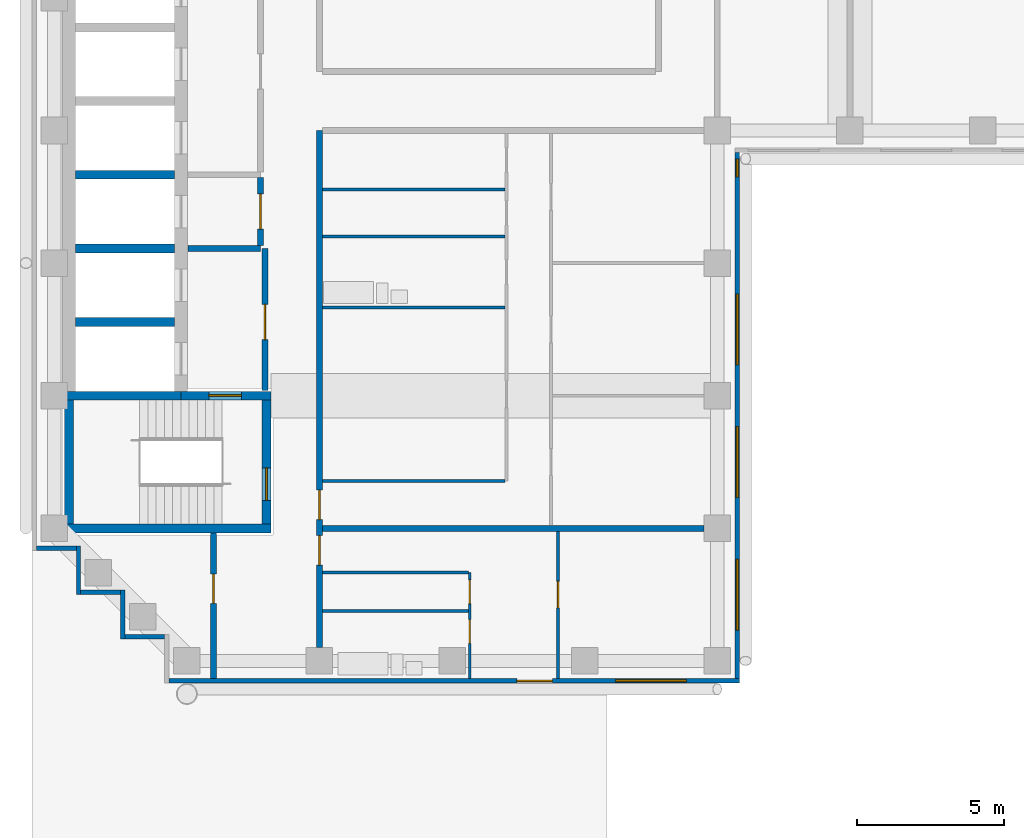
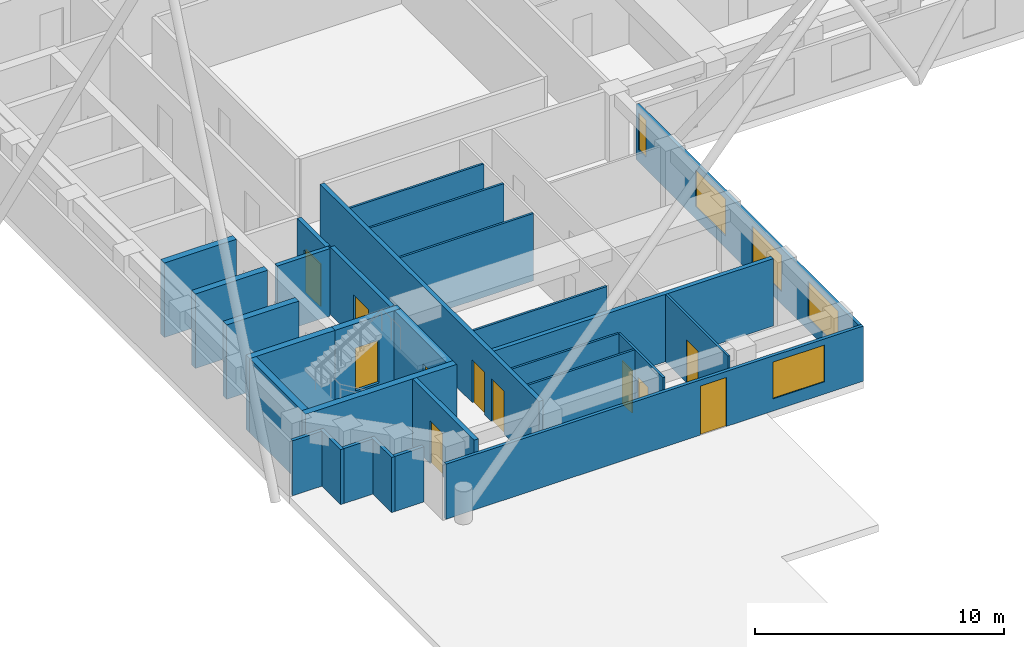
# One storey, part 2 of 9: 29 walls, 11 doors, 5 windows, 16 openings.
"""IFC4 building model written with IfcOpenShell, lengths in metres."""

from ifc_helpers import new_model, si_unit, direction, frame, frame_2d, origin, place, context, subcontext, project, spatial, rectangle, extrude, material, layer, layer_set, type_object, element, fill, save


model = new_model("IFC4")

# Units and contexts
model_context = context("Model", 3, precision=1e-05, world=origin(), true_north=direction((0.0, 1.0)))
body_context = subcontext(model_context, "Body", "Model", "MODEL_VIEW")
ifc_project = project(units=[si_unit("LENGTHUNIT", "METRE"), si_unit("AREAUNIT", "SQUARE_METRE"), si_unit("VOLUMEUNIT", "CUBIC_METRE"), si_unit("PLANEANGLEUNIT", "RADIAN"), si_unit("MASSUNIT", "GRAM", prefix="KILO")], contexts=[model_context])

# Site, building, storey
site_placement = place(None, origin())
site = spatial("IfcSite", under=ifc_project, at=site_placement, CompositionType="ELEMENT")
building_placement = place(site_placement, origin())
building = spatial("IfcBuilding", under=site, at=building_placement, Name="Firuza Court", CompositionType="ELEMENT")
storey_placement = place(building_placement, frame((0.0, 0.0, 211.39990234375)))
storey = spatial("IfcBuildingStorey", under=building, at=storey_placement, Name="L54", CompositionType="ELEMENT", Elevation=211.39990234375)

# Walls
ifc_material_1 = material(Name="Moisture-resistant gypsum board partition")
ifc_layer_1 = layer(ifc_material_1, 0.10009765625)
ifc_layer_set_1 = layer_set([ifc_layer_1], Name="Moisture-resistant gypsum board partition")
wall_type_1 = type_object("IfcWallType", Name="Bathroom partition 100", PredefinedType="PLUMBINGWALL", material=ifc_layer_set_1)
wall_1_placement = place(storey_placement, frame((9.10009765625, 19.699951171875, 0.0), z_axis=(0.0, 0.0, 1.0), x_axis=(1.0, 0.0, 0.0)))
element("IfcWall", 1, at=wall_1_placement, inside=storey, type_object=wall_type_1, Name="Bathroom partition 100 L54", PredefinedType="PLUMBINGWALL", context=body_context, shape_type="SweptSolid", body=[
    extrude(rectangle(XDim=4.949951171875, YDim=0.10009765625, at=frame_2d((2.47509765625, 0.0))), origin(), (0.0, 0.0, 1.0), 3.300048828125),
])
for number, where, z_axis, x_axis, name in (
    (2, (9.10009765625, 30.0, 0.0), (0.0, 0.0, 1.0), (1.0, 0.0, 0.0), "Bathroom partition 100 L54"),
    (3, (9.10009765625, 32.39990234375, 0.0), (0.0, 0.0, 1.0), (1.0, 0.0, 0.0), "Bathroom partition 100 L54"),
):
    element("IfcWall", number, at=place(storey_placement, frame(where, z_axis=z_axis, x_axis=x_axis)), inside=storey, type_object=wall_type_1, Name=name, PredefinedType="PLUMBINGWALL", context=body_context, shape_type="SweptSolid", body=[
        extrude(rectangle(XDim=6.199951171875, YDim=0.10009765625, at=frame_2d((3.10009765625, 0.0))), origin(), (0.0, 0.0, 1.0), 3.300048828125),
    ])
ifc_material_2 = material(Name="Concrete C50/60", Category="concrete")
ifc_layer_2 = layer(ifc_material_2, 0.300048828125)
ifc_layer_set_2 = layer_set([ifc_layer_2], Name="Concrete C50/60")
wall_type_2 = type_object("IfcWallType", Name="Core wall 300 C50/60", PredefinedType="SHEAR", material=ifc_layer_set_2)
wall_2_placement = place(storey_placement, frame((0.35009765625, 22.5, -0.349853515625), z_axis=(0.0, 0.0, 1.0), x_axis=(1.0, 0.0, 0.0)))
element("IfcWall", 4, at=wall_2_placement, inside=storey, type_object=wall_type_2, Name="Core wall stair L54", PredefinedType="SHEAR", context=body_context, shape_type="SweptSolid", body=[
    extrude(rectangle(XDim=7.0, YDim=0.300048828125, at=frame_2d((3.5, 0.0))), origin(), (0.0, 0.0, 1.0), 3.64990234375),
])
wall_3_placement = place(storey_placement, frame((0.35009765625, 27.0, -0.349853515625), z_axis=(0.0, 0.0, 1.0), x_axis=(1.0, 0.0, 0.0)))
element("IfcWall", 5, at=wall_3_placement, inside=storey, type_object=wall_type_2, Name="Core wall lift shaft L54", PredefinedType="SHEAR", context=body_context, shape_type="SweptSolid", body=[
    extrude(rectangle(XDim=3.949951171875, YDim=0.300048828125, at=frame_2d((1.97509765625, 0.0))), origin(), (0.0, 0.0, 1.0), 3.64990234375),
])
wall_4_placement = place(storey_placement, frame((0.5, 22.64990234375, -0.349853515625), z_axis=(0.0, 0.0, 1.0), x_axis=(0.0, 1.0, 0.0)))
element("IfcWall", 6, at=wall_4_placement, inside=storey, type_object=wall_type_2, Name="Core wall stair L54", PredefinedType="SHEAR", context=body_context, shape_type="SweptSolid", body=[
    extrude(rectangle(XDim=4.2001953125, YDim=0.300048828125, at=frame_2d((2.10009765625, 0.0))), origin(), (0.0, 0.0, 1.0), 3.64990234375),
])
for number, where, z_axis, x_axis, name in (
    (7, (0.72509765625, 29.5, -0.349853515625), (0.0, 0.0, 1.0), (1.0, 0.0, 0.0), "Core wall lift shaft L54"),
    (8, (0.72509765625, 32.0, -0.349853515625), (0.0, 0.0, 1.0), (1.0, 0.0, 0.0), "Core wall lift shaft L54"),
    (9, (0.72509765625, 34.5, -0.349853515625), (0.0, 0.0, 1.0), (1.0, 0.0, 0.0), "Core wall lift shaft L54"),
):
    element("IfcWall", number, at=place(storey_placement, frame(where, z_axis=z_axis, x_axis=x_axis)), inside=storey, type_object=wall_type_2, Name=name, PredefinedType="SHEAR", context=body_context, shape_type="SweptSolid", body=[
        extrude(rectangle(XDim=3.349853515625, YDim=0.300048828125, at=frame_2d((1.6748046875, 0.0))), origin(), (0.0, 0.0, 1.0), 3.64990234375),
    ])

# Wall, opening, door
wall_5_placement = place(storey_placement, frame((4.300048828125, 27.0, -0.349853515625), z_axis=(0.0, 0.0, 1.0), x_axis=(1.0, 0.0, 0.0)))
wall_5 = element("IfcWall", 10, at=wall_5_placement, inside=storey, type_object=wall_type_2, Name="Core wall stair L54", PredefinedType="SHEAR", context=body_context, shape_type="SweptSolid", body=[
    extrude(rectangle(XDim=3.050048828125, YDim=0.300048828125, at=frame_2d((1.52490234375, 0.0))), origin(), (0.0, 0.0, 1.0), 3.64990234375),
])
opening_1_placement = place(wall_5_placement, frame((0.949951171875, 0.0, 0.35009765625)))
opening_1 = element("IfcOpeningElement", 11, at=opening_1_placement, cuts=wall_5, Name="Opening D54010", PredefinedType="OPENING", context=body_context, shape_type="SweptSolid", body=[
    extrude(rectangle(XDim=1.10009765625, YDim=2.10009765625, at=frame_2d((0.550048828125, 1.050048828125))), frame((0.0, 0.162109375, 0.0), z_axis=(0.0, -1.0, 0.0), x_axis=(1.0, 0.0, 0.0)), (0.0, 0.0, 1.0), 0.323974609375),
])
ifc_material_3 = material(Name="Timber door leaf in hardwood frame", Category="wood")
door_type_1 = type_object("IfcDoorType", Name="Stair door 1100", OperationType="SINGLE_SWING_LEFT", PredefinedType="DOOR", material=ifc_material_3)
door_1_placement = place(opening_1_placement, frame((1.10009765625, 0.0, 0.0), z_axis=(0.0, 0.0, 1.0), x_axis=(-1.0, 0.0, 0.0)))
door_1 = element("IfcDoor", 12, at=door_1_placement, inside=storey, type_object=door_type_1, Name="Fire-fighting lobby door", OperationType="SINGLE_SWING_LEFT", OverallHeight=2.10009765625, OverallWidth=1.10009765625, PredefinedType="DOOR", context=body_context, shape_type="SweptSolid", body=[
    extrude(rectangle(XDim=1.10009765625, YDim=2.10009765625, at=frame_2d((0.550048828125, 1.050048828125))), frame((0.0, 0.02490234375, 0.0), z_axis=(0.0, -1.0, 0.0), x_axis=(1.0, 0.0, 0.0)), (0.0, 0.0, 1.0), 0.050048828125),
])
fill(opening_1, door_1)

wall_6_placement = place(storey_placement, frame((7.199951171875, 22.64990234375, -0.349853515625), z_axis=(0.0, 0.0, 1.0), x_axis=(0.0, 1.0, 0.0)))
wall_6 = element("IfcWall", 13, at=wall_6_placement, inside=storey, type_object=wall_type_2, Name="Core wall stair L54", PredefinedType="SHEAR", context=body_context, shape_type="SweptSolid", body=[
    extrude(rectangle(XDim=4.2001953125, YDim=0.300048828125, at=frame_2d((2.10009765625, 0.0))), origin(), (0.0, 0.0, 1.0), 3.64990234375),
])
opening_2_placement = place(wall_6_placement, frame((0.800048828125, 0.0, 0.35009765625)))
opening_2 = element("IfcOpeningElement", 14, at=opening_2_placement, cuts=wall_6, Name="Opening D54011", PredefinedType="OPENING", context=body_context, shape_type="SweptSolid", body=[
    extrude(rectangle(XDim=1.10009765625, YDim=2.10009765625, at=frame_2d((0.550048828125, 1.050048828125))), frame((0.0, 0.162109375, 0.0), z_axis=(0.0, -1.0, 0.0), x_axis=(1.0, 0.0, 0.0)), (0.0, 0.0, 1.0), 0.323974609375),
])
door_2_placement = place(opening_2_placement, origin())
door_2 = element("IfcDoor", 15, at=door_2_placement, inside=storey, type_object=door_type_1, Name="Stair door S2", OperationType="SINGLE_SWING_LEFT", OverallHeight=2.10009765625, OverallWidth=1.10009765625, PredefinedType="DOOR", context=body_context, shape_type="SweptSolid", body=[
    extrude(rectangle(XDim=1.10009765625, YDim=2.10009765625, at=frame_2d((0.550048828125, 1.050048828125))), frame((0.0, 0.02490234375, 0.0), z_axis=(0.0, -1.0, 0.0), x_axis=(1.0, 0.0, 0.0)), (0.0, 0.0, 1.0), 0.050048828125),
])
fill(opening_2, door_2)

ifc_material_4 = material(Name="Blockwork, plastered both sides", Category="masonry")
ifc_layer_3 = layer(ifc_material_4, 0.199951171875)
ifc_layer_set_3 = layer_set([ifc_layer_3], Name="Blockwork, plastered both sides")
wall_type_3 = type_object("IfcWallType", Name="Corridor wall 200", PredefinedType="PARTITIONING", material=ifc_layer_set_3)
wall_7_placement = place(storey_placement, frame((5.39990234375, 17.39990234375, 0.0), z_axis=(0.0, 0.0, 1.0), x_axis=(0.0, 1.0, 0.0)))
wall_7 = element("IfcWall", 16, at=wall_7_placement, inside=storey, type_object=wall_type_3, Name="Corridor wall 200 L54", PredefinedType="PARTITIONING", context=body_context, shape_type="SweptSolid", body=[
    extrude(rectangle(XDim=4.9501953125, YDim=0.199951171875, at=frame_2d((2.47509765625, 0.0))), origin(), (0.0, 0.0, 1.0), 3.300048828125),
])
opening_3_placement = place(wall_7_placement, frame((2.550048828125, 0.0, 0.0)))
opening_3 = element("IfcOpeningElement", 17, at=opening_3_placement, cuts=wall_7, Name="Opening D54013", PredefinedType="OPENING", context=body_context, shape_type="SweptSolid", body=[
    extrude(rectangle(XDim=1.0, YDim=2.10009765625, at=frame_2d((0.5, 1.050048828125))), frame((0.0, 0.11181640625, 0.0), z_axis=(0.0, -1.0, 0.0), x_axis=(1.0, 0.0, 0.0)), (0.0, 0.0, 1.0), 0.223876953125),
])
ifc_material_5 = material(Name="Timber door leaf in hardwood frame", Category="wood")
door_type_2 = type_object("IfcDoorType", Name="Store door 1000", OperationType="SINGLE_SWING_LEFT", PredefinedType="DOOR", material=ifc_material_5)
door_3_placement = place(opening_3_placement, origin())
door_3 = element("IfcDoor", 18, at=door_3_placement, inside=storey, type_object=door_type_2, Name="Cleaner's store door", OperationType="SINGLE_SWING_RIGHT", OverallHeight=2.10009765625, OverallWidth=1.0, PredefinedType="DOOR", context=body_context, shape_type="SweptSolid", body=[
    extrude(rectangle(XDim=1.0, YDim=2.10009765625, at=frame_2d((0.5, 1.050048828125))), frame((0.0, 0.02490234375, 0.0), z_axis=(0.0, -1.0, 0.0), x_axis=(1.0, 0.0, 0.0)), (0.0, 0.0, 1.0), 0.050048828125),
])
fill(opening_3, door_3)

# Wall, openings, doors
wall_8_placement = place(storey_placement, frame((9.0, 18.449951171875, 0.0), z_axis=(0.0, 0.0, 1.0), x_axis=(0.0, 1.0, 0.0)))
wall_8 = element("IfcWall", 19, at=wall_8_placement, inside=storey, type_object=wall_type_3, Name="Corridor wall 200 L54", PredefinedType="PARTITIONING", context=body_context, shape_type="SweptSolid", body=[
    extrude(rectangle(XDim=17.550048828125, YDim=0.199951171875, at=frame_2d((8.77490234375, 0.0))), origin(), (0.0, 0.0, 1.0), 3.300048828125),
])
opening_4_placement = place(wall_8_placement, frame((4.35009765625, 0.0, 0.0)))
opening_4 = element("IfcOpeningElement", 20, at=opening_4_placement, cuts=wall_8, Name="Opening D54017", PredefinedType="OPENING", context=body_context, shape_type="SweptSolid", body=[
    extrude(rectangle(XDim=1.0, YDim=2.10009765625, at=frame_2d((0.5, 1.050048828125))), frame((0.0, 0.11181640625, 0.0), z_axis=(0.0, -1.0, 0.0), x_axis=(1.0, 0.0, 0.0)), (0.0, 0.0, 1.0), 0.223876953125),
])
opening_5_placement = place(wall_8_placement, frame((2.800048828125, 0.0, 0.0)))
opening_5 = element("IfcOpeningElement", 21, at=opening_5_placement, cuts=wall_8, Name="Opening D54018", PredefinedType="OPENING", context=body_context, shape_type="SweptSolid", body=[
    extrude(rectangle(XDim=1.0, YDim=2.10009765625, at=frame_2d((0.5, 1.050048828125))), frame((0.0, 0.11181640625, 0.0), z_axis=(0.0, -1.0, 0.0), x_axis=(1.0, 0.0, 0.0)), (0.0, 0.0, 1.0), 0.223876953125),
])
ifc_material_6 = material(Name="Timber door leaf in hardwood frame", Category="wood")
door_type_3 = type_object("IfcDoorType", Name="Flat entrance door 1000", OperationType="SINGLE_SWING_LEFT", PredefinedType="DOOR", material=ifc_material_6)
door_4_placement = place(opening_4_placement, origin())
door_4 = element("IfcDoor", 22, at=door_4_placement, inside=storey, type_object=door_type_3, Name="Flat entrance door", OperationType="SINGLE_SWING_LEFT", OverallHeight=2.10009765625, OverallWidth=1.0, PredefinedType="DOOR", context=body_context, shape_type="SweptSolid", body=[
    extrude(rectangle(XDim=1.0, YDim=2.10009765625, at=frame_2d((0.5, 1.050048828125))), frame((0.0, 0.02490234375, 0.0), z_axis=(0.0, -1.0, 0.0), x_axis=(1.0, 0.0, 0.0)), (0.0, 0.0, 1.0), 0.050048828125),
])
fill(opening_4, door_4)
door_5_placement = place(opening_5_placement, origin())
door_5 = element("IfcDoor", 23, at=door_5_placement, inside=storey, type_object=door_type_3, Name="Flat entrance door", OperationType="SINGLE_SWING_LEFT", OverallHeight=2.10009765625, OverallWidth=1.0, PredefinedType="DOOR", context=body_context, shape_type="SweptSolid", body=[
    extrude(rectangle(XDim=1.0, YDim=2.10009765625, at=frame_2d((0.5, 1.050048828125))), frame((0.0, 0.02490234375, 0.0), z_axis=(0.0, -1.0, 0.0), x_axis=(1.0, 0.0, 0.0)), (0.0, 0.0, 1.0), 0.050048828125),
])
fill(opening_5, door_5)

ifc_material_7 = material(Name="Timber stud partition, plasterboard both sides", Category="wood")
ifc_layer_4 = layer(ifc_material_7, 0.10009765625)
ifc_layer_set_4 = layer_set([ifc_layer_4], Name="Timber stud partition, plasterboard both sides")
wall_type_4 = type_object("IfcWallType", Name="Partition wall 100", PredefinedType="PARTITIONING", material=ifc_layer_set_4)
wall_9_placement = place(storey_placement, frame((14.10009765625, 17.39990234375, 0.0), z_axis=(0.0, 0.0, 1.0), x_axis=(0.0, 1.0, 0.0)))
wall_9 = element("IfcWall", 24, at=wall_9_placement, inside=storey, type_object=wall_type_4, Name="Partition wall 100 L54", PredefinedType="PARTITIONING", context=body_context, shape_type="SweptSolid", body=[
    extrude(rectangle(XDim=3.60009765625, YDim=0.10009765625, at=frame_2d((1.800048828125, 0.0))), origin(), (0.0, 0.0, 1.0), 3.300048828125),
])
opening_6_placement = place(wall_9_placement, frame((1.199951171875, 0.0, 0.0)))
opening_6 = element("IfcOpeningElement", 25, at=opening_6_placement, cuts=wall_9, Name="Opening D54014", PredefinedType="OPENING", context=body_context, shape_type="SweptSolid", body=[
    extrude(rectangle(XDim=0.800048828125, YDim=2.10009765625, at=frame_2d((0.39990234375, 1.050048828125))), frame((0.0, 0.06201171875, 0.0), z_axis=(0.0, -1.0, 0.0), x_axis=(1.0, 0.0, 0.0)), (0.0, 0.0, 1.0), 0.1240234375),
])
opening_7_placement = place(wall_9_placement, frame((2.550048828125, 0.0, 0.0)))
opening_7 = element("IfcOpeningElement", 26, at=opening_7_placement, cuts=wall_9, Name="Opening D54015", PredefinedType="OPENING", context=body_context, shape_type="SweptSolid", body=[
    extrude(rectangle(XDim=0.800048828125, YDim=2.10009765625, at=frame_2d((0.39990234375, 1.050048828125))), frame((0.0, 0.06201171875, 0.0), z_axis=(0.0, -1.0, 0.0), x_axis=(1.0, 0.0, 0.0)), (0.0, 0.0, 1.0), 0.1240234375),
])
ifc_material_8 = material(Name="Timber door leaf in hardwood frame", Category="wood")
door_type_4 = type_object("IfcDoorType", Name="Bathroom door 800", OperationType="SINGLE_SWING_LEFT", PredefinedType="DOOR", material=ifc_material_8)
door_6_placement = place(opening_6_placement, origin())
door_6 = element("IfcDoor", 27, at=door_6_placement, inside=storey, type_object=door_type_4, Name="Bathroom door", OperationType="SINGLE_SWING_RIGHT", OverallHeight=2.10009765625, OverallWidth=0.800048828125, PredefinedType="DOOR", context=body_context, shape_type="SweptSolid", body=[
    extrude(rectangle(XDim=0.800048828125, YDim=2.10009765625, at=frame_2d((0.39990234375, 1.050048828125))), frame((0.0, 0.02490234375, 0.0), z_axis=(0.0, -1.0, 0.0), x_axis=(1.0, 0.0, 0.0)), (0.0, 0.0, 1.0), 0.050048828125),
])
fill(opening_6, door_6)
ifc_material_9 = material(Name="Timber door leaf in hardwood frame", Category="wood")
door_type_5 = type_object("IfcDoorType", Name="Room door 800", OperationType="SINGLE_SWING_LEFT", PredefinedType="DOOR", material=ifc_material_9)
door_7_placement = place(opening_7_placement, origin())
door_7 = element("IfcDoor", 28, at=door_7_placement, inside=storey, type_object=door_type_5, Name="Kitchen door", OperationType="SINGLE_SWING_LEFT", OverallHeight=2.10009765625, OverallWidth=0.800048828125, PredefinedType="DOOR", context=body_context, shape_type="SweptSolid", body=[
    extrude(rectangle(XDim=0.800048828125, YDim=2.10009765625, at=frame_2d((0.39990234375, 1.050048828125))), frame((0.0, 0.02490234375, 0.0), z_axis=(0.0, -1.0, 0.0), x_axis=(1.0, 0.0, 0.0)), (0.0, 0.0, 1.0), 0.050048828125),
])
fill(opening_7, door_7)

# Wall, opening, door
wall_10_placement = place(storey_placement, frame((17.10009765625, 17.39990234375, 0.0), z_axis=(0.0, 0.0, 1.0), x_axis=(0.0, 1.0, 0.0)))
wall_10 = element("IfcWall", 29, at=wall_10_placement, inside=storey, type_object=wall_type_4, Name="Partition wall 100 L54", PredefinedType="PARTITIONING", context=body_context, shape_type="SweptSolid", body=[
    extrude(rectangle(XDim=5.0, YDim=0.10009765625, at=frame_2d((2.5, 0.0))), origin(), (0.0, 0.0, 1.0), 3.300048828125),
])
opening_8_placement = place(wall_10_placement, frame((2.39990234375, 0.0, 0.0)))
opening_8 = element("IfcOpeningElement", 30, at=opening_8_placement, cuts=wall_10, Name="Opening D54016", PredefinedType="OPENING", context=body_context, shape_type="SweptSolid", body=[
    extrude(rectangle(XDim=0.89990234375, YDim=2.10009765625, at=frame_2d((0.449951171875, 1.050048828125))), frame((0.0, 0.06201171875, 0.0), z_axis=(0.0, -1.0, 0.0), x_axis=(1.0, 0.0, 0.0)), (0.0, 0.0, 1.0), 0.1240234375),
])
ifc_material_10 = material(Name="Timber door leaf in hardwood frame", Category="wood")
door_type_6 = type_object("IfcDoorType", Name="Room door 900", OperationType="SINGLE_SWING_LEFT", PredefinedType="DOOR", material=ifc_material_10)
door_8_placement = place(opening_8_placement, frame((0.89990234375, 0.0, 0.0), z_axis=(0.0, 0.0, 1.0), x_axis=(-1.0, 0.0, 0.0)))
door_8 = element("IfcDoor", 31, at=door_8_placement, inside=storey, type_object=door_type_6, Name="Studio room door", OperationType="SINGLE_SWING_LEFT", OverallHeight=2.10009765625, OverallWidth=0.89990234375, PredefinedType="DOOR", context=body_context, shape_type="SweptSolid", body=[
    extrude(rectangle(XDim=0.89990234375, YDim=2.10009765625, at=frame_2d((0.449951171875, 1.050048828125))), frame((0.0, 0.02490234375, 0.0), z_axis=(0.0, -1.0, 0.0), x_axis=(1.0, 0.0, 0.0)), (0.0, 0.0, 1.0), 0.050048828125),
])
fill(opening_8, door_8)

# Walls
wall_11_placement = place(storey_placement, frame((9.10009765625, 21.0, 0.0), z_axis=(0.0, 0.0, 1.0), x_axis=(1.0, 0.0, 0.0)))
element("IfcWall", 32, at=wall_11_placement, inside=storey, type_object=wall_type_4, Name="Partition wall 100 L54", PredefinedType="PARTITIONING", context=body_context, shape_type="SweptSolid", body=[
    extrude(rectangle(XDim=4.949951171875, YDim=0.10009765625, at=frame_2d((2.47509765625, 0.0))), origin(), (0.0, 0.0, 1.0), 3.300048828125),
])
for number, where, z_axis, x_axis, name in (
    (33, (9.10009765625, 24.10009765625, 0.0), (0.0, 0.0, 1.0), (1.0, 0.0, 0.0), "Partition wall 100 L54"),
    (34, (9.10009765625, 34.0, 0.0), (0.0, 0.0, 1.0), (1.0, 0.0, 0.0), "Partition wall 100 L54"),
):
    element("IfcWall", number, at=place(storey_placement, frame(where, z_axis=z_axis, x_axis=x_axis)), inside=storey, type_object=wall_type_4, Name=name, PredefinedType="PARTITIONING", context=body_context, shape_type="SweptSolid", body=[
        extrude(rectangle(XDim=6.199951171875, YDim=0.10009765625, at=frame_2d((3.10009765625, 0.0))), origin(), (0.0, 0.0, 1.0), 3.300048828125),
    ])
ifc_layer_5 = layer(ifc_material_4, 0.199951171875)
ifc_layer_set_5 = layer_set([ifc_layer_5], Name="Blockwork, plastered both sides")
wall_type_5 = type_object("IfcWallType", Name="Party wall 200", PredefinedType="PARTITIONING", material=ifc_layer_set_5)
wall_12_placement = place(storey_placement, frame((9.10009765625, 22.5, 0.0), z_axis=(0.0, 0.0, 1.0), x_axis=(1.0, 0.0, 0.0)))
element("IfcWall", 35, at=wall_12_placement, inside=storey, type_object=wall_type_5, Name="Party wall 200 L54", PredefinedType="PARTITIONING", context=body_context, shape_type="SweptSolid", body=[
    extrude(rectangle(XDim=12.949951171875, YDim=0.199951171875, at=frame_2d((6.47509765625, 0.0))), origin(), (0.0, 0.0, 1.0), 3.300048828125),
])
ifc_material_11 = material(Name="Ceramic tile", Category="ceramic")
ifc_layer_6 = layer(ifc_material_11, 0.02001953125)
ifc_material_12 = material(Name="Mineral wool insulation", Category="insulation")
ifc_layer_7 = layer(ifc_material_12, 0.050048828125)
ifc_material_13 = material(Name="Concrete C40/50 precast", Category="concrete")
ifc_layer_8 = layer(ifc_material_13, 0.080078125)
ifc_layer_set_6 = layer_set([ifc_layer_6, ifc_layer_7, ifc_layer_8], Name="Concrete C40/50 precast")
wall_type_6 = type_object("IfcWallType", Name="Precast cladding wall with turquoise TILE PANEL face 150", PredefinedType="STANDARD", material=ifc_layer_set_6)
wall_13_placement = place(storey_placement, frame((-0.60009765625, 21.824951171875, 0.0), z_axis=(0.0, 0.0, 1.0), x_axis=(1.0, 0.0, 0.0)))
element("IfcWall", 36, at=wall_13_placement, inside=storey, type_object=wall_type_6, Name="Facade wall L54 S", PredefinedType="STANDARD", context=body_context, shape_type="SweptSolid", body=[
    extrude(rectangle(XDim=1.35009765625, YDim=0.14990234375, at=frame_2d((0.675048828125, 0.0))), origin(), (0.0, 0.0, 1.0), 2.7001953125),
])
wall_14_placement = place(storey_placement, frame((0.824951171875, 21.89990234375, 0.0), z_axis=(0.0, 0.0, 1.0), x_axis=(0.0, -1.0, 0.0)))
element("IfcWall", 37, at=wall_14_placement, inside=storey, type_object=wall_type_6, Name="Facade wall L54 W", PredefinedType="STANDARD", context=body_context, shape_type="SweptSolid", body=[
    extrude(rectangle(XDim=1.64990234375, YDim=0.14990234375, at=frame_2d((0.824951171875, 0.0))), origin(), (0.0, 0.0, 1.0), 2.7001953125),
])
wall_15_placement = place(storey_placement, frame((0.89990234375, 20.324951171875, 0.0), z_axis=(0.0, 0.0, 1.0), x_axis=(1.0, 0.0, 0.0)))
element("IfcWall", 38, at=wall_15_placement, inside=storey, type_object=wall_type_6, Name="Facade wall L54 S", PredefinedType="STANDARD", context=body_context, shape_type="SweptSolid", body=[
    extrude(rectangle(XDim=1.35009765625, YDim=0.14990234375, at=frame_2d((0.675048828125, 0.0))), origin(), (0.0, 0.0, 1.0), 2.7001953125),
])
wall_16_placement = place(storey_placement, frame((2.324951171875, 20.39990234375, 0.0), z_axis=(0.0, 0.0, 1.0), x_axis=(0.0, -1.0, 0.0)))
element("IfcWall", 39, at=wall_16_placement, inside=storey, type_object=wall_type_6, Name="Facade wall L54 W", PredefinedType="STANDARD", context=body_context, shape_type="SweptSolid", body=[
    extrude(rectangle(XDim=1.64990234375, YDim=0.14990234375, at=frame_2d((0.824951171875, 0.0))), origin(), (0.0, 0.0, 1.0), 2.7001953125),
])
wall_17_placement = place(storey_placement, frame((2.39990234375, 18.824951171875, 0.0), z_axis=(0.0, 0.0, 1.0), x_axis=(1.0, 0.0, 0.0)))
element("IfcWall", 40, at=wall_17_placement, inside=storey, type_object=wall_type_6, Name="Facade wall L54 S", PredefinedType="STANDARD", context=body_context, shape_type="SweptSolid", body=[
    extrude(rectangle(XDim=1.35009765625, YDim=0.14990234375, at=frame_2d((0.675048828125, 0.0))), origin(), (0.0, 0.0, 1.0), 2.7001953125),
])

# Wall, openings, door, window
wall_18_placement = place(storey_placement, frame((3.89990234375, 17.324951171875, 0.0), z_axis=(0.0, 0.0, 1.0), x_axis=(1.0, 0.0, 0.0)))
wall_18 = element("IfcWall", 41, at=wall_18_placement, inside=storey, type_object=wall_type_6, Name="Facade wall L54 S", PredefinedType="STANDARD", context=body_context, shape_type="SweptSolid", body=[
    extrude(rectangle(XDim=19.35009765625, YDim=0.14990234375, at=frame_2d((9.675048828125, 0.0))), origin(), (0.0, 0.0, 1.0), 2.7001953125),
])
opening_9_placement = place(wall_18_placement, frame((11.800048828125, 0.0, 0.0)))
opening_9 = element("IfcOpeningElement", 42, at=opening_9_placement, cuts=wall_18, Name="Opening D54901", PredefinedType="OPENING", context=body_context, shape_type="SweptSolid", body=[
    extrude(rectangle(XDim=1.199951171875, YDim=2.39990234375, at=frame_2d((0.60009765625, 1.199951171875))), frame((0.0, 0.0869140625, 0.0), z_axis=(0.0, -1.0, 0.0), x_axis=(1.0, 0.0, 0.0)), (0.0, 0.0, 1.0), 0.173828125),
])
opening_10_placement = place(wall_18_placement, frame((15.14990234375, 0.0, 0.60009765625)))
opening_10 = element("IfcOpeningElement", 43, at=opening_10_placement, cuts=wall_18, Name="Opening W1", PredefinedType="OPENING", context=body_context, shape_type="SweptSolid", body=[
    extrude(rectangle(XDim=2.39990234375, YDim=1.800048828125, at=frame_2d((1.199951171875, 0.89990234375))), frame((0.0, 0.0869140625, 0.0), z_axis=(0.0, -1.0, 0.0), x_axis=(1.0, 0.0, 0.0)), (0.0, 0.0, 1.0), 0.173828125),
])
ifc_material_14 = material(Name="Timber door leaf in hardwood frame", Category="wood")
door_type_7 = type_object("IfcDoorType", Name="Terrace door 1200", OperationType="DOUBLE_DOOR_SINGLE_SWING", PredefinedType="DOOR", material=ifc_material_14)
door_9_placement = place(opening_9_placement, origin())
door_9 = element("IfcDoor", 44, at=door_9_placement, inside=storey, type_object=door_type_7, Name="Terrace door L54", OperationType="DOUBLE_DOOR_SINGLE_SWING", OverallHeight=2.39990234375, OverallWidth=1.199951171875, PredefinedType="DOOR", context=body_context, shape_type="SweptSolid", body=[
    extrude(rectangle(XDim=1.199951171875, YDim=2.39990234375, at=frame_2d((0.60009765625, 1.199951171875))), frame((0.0, 0.02490234375, 0.0), z_axis=(0.0, -1.0, 0.0), x_axis=(1.0, 0.0, 0.0)), (0.0, 0.0, 1.0), 0.050048828125),
])
fill(opening_9, door_9)
ifc_material_15 = material(Name="Aluminium frame, triple clear glazing", Category="aluminium")
window_type_1 = type_object("IfcWindowType", Name="Window W1 2400 x 1800", PartitioningType="SINGLE_PANEL", PredefinedType="WINDOW", material=ifc_material_15)
window_1_placement = place(opening_10_placement, origin())
window_1 = element("IfcWindow", 45, at=window_1_placement, inside=storey, type_object=window_type_1, Name="Window L54", OverallHeight=1.800048828125, OverallWidth=2.39990234375, PartitioningType="SINGLE_PANEL", PredefinedType="WINDOW", context=body_context, shape_type="SweptSolid", body=[
    extrude(rectangle(XDim=2.39990234375, YDim=1.800048828125, at=frame_2d((1.199951171875, 0.89990234375))), frame((0.0, 0.030029296875, 0.0), z_axis=(0.0, -1.0, 0.0), x_axis=(1.0, 0.0, 0.0)), (0.0, 0.0, 1.0), 0.06005859375),
])
fill(opening_10, window_1)

# Wall, openings, windows
wall_19_placement = place(storey_placement, frame((23.175048828125, 17.39990234375, 0.0), z_axis=(0.0, 0.0, 1.0), x_axis=(0.0, 1.0, 0.0)))
wall_19 = element("IfcWall", 46, at=wall_19_placement, inside=storey, type_object=wall_type_6, Name="Facade wall L54 E", PredefinedType="STANDARD", context=body_context, shape_type="SweptSolid", body=[
    extrude(rectangle(XDim=17.85009765625, YDim=0.14990234375, at=frame_2d((8.925048828125, 0.0))), origin(), (0.0, 0.0, 1.0), 2.7001953125),
])
opening_11_placement = place(wall_19_placement, frame((1.64990234375, 0.0, 0.60009765625)))
opening_11 = element("IfcOpeningElement", 47, at=opening_11_placement, cuts=wall_19, Name="Opening W1", PredefinedType="OPENING", context=body_context, shape_type="SweptSolid", body=[
    extrude(rectangle(XDim=2.39990234375, YDim=1.800048828125, at=frame_2d((1.199951171875, 0.89990234375))), frame((0.0, 0.0869140625, 0.0), z_axis=(0.0, -1.0, 0.0), x_axis=(1.0, 0.0, 0.0)), (0.0, 0.0, 1.0), 0.173828125),
])
opening_12_placement = place(wall_19_placement, frame((6.14990234375, 0.0, 0.60009765625)))
opening_12 = element("IfcOpeningElement", 48, at=opening_12_placement, cuts=wall_19, Name="Opening W1", PredefinedType="OPENING", context=body_context, shape_type="SweptSolid", body=[
    extrude(rectangle(XDim=2.39990234375, YDim=1.800048828125, at=frame_2d((1.199951171875, 0.89990234375))), frame((0.0, 0.0869140625, 0.0), z_axis=(0.0, -1.0, 0.0), x_axis=(1.0, 0.0, 0.0)), (0.0, 0.0, 1.0), 0.173828125),
])
opening_13_placement = place(wall_19_placement, frame((10.64990234375, 0.0, 0.60009765625)))
opening_13 = element("IfcOpeningElement", 49, at=opening_13_placement, cuts=wall_19, Name="Opening W1", PredefinedType="OPENING", context=body_context, shape_type="SweptSolid", body=[
    extrude(rectangle(XDim=2.39990234375, YDim=1.800048828125, at=frame_2d((1.199951171875, 0.89990234375))), frame((0.0, 0.0869140625, 0.0), z_axis=(0.0, -1.0, 0.0), x_axis=(1.0, 0.0, 0.0)), (0.0, 0.0, 1.0), 0.173828125),
])
opening_14_placement = place(wall_19_placement, frame((17.02685546875, 0.0, 0.60009765625)))
opening_14 = element("IfcOpeningElement", 50, at=opening_14_placement, cuts=wall_19, Name="Opening W4", PredefinedType="OPENING", context=body_context, shape_type="SweptSolid", body=[
    extrude(rectangle(XDim=0.60009765625, YDim=1.800048828125, at=frame_2d((0.300048828125, 0.89990234375))), frame((0.0, 0.0869140625, 0.0), z_axis=(0.0, -1.0, 0.0), x_axis=(1.0, 0.0, 0.0)), (0.0, 0.0, 1.0), 0.173828125),
])
window_2_placement = place(opening_11_placement, origin())
window_2 = element("IfcWindow", 51, at=window_2_placement, inside=storey, type_object=window_type_1, Name="Window L54", OverallHeight=1.800048828125, OverallWidth=2.39990234375, PartitioningType="SINGLE_PANEL", PredefinedType="WINDOW", context=body_context, shape_type="SweptSolid", body=[
    extrude(rectangle(XDim=2.39990234375, YDim=1.800048828125, at=frame_2d((1.199951171875, 0.89990234375))), frame((0.0, 0.030029296875, 0.0), z_axis=(0.0, -1.0, 0.0), x_axis=(1.0, 0.0, 0.0)), (0.0, 0.0, 1.0), 0.06005859375),
])
fill(opening_11, window_2)
window_3_placement = place(opening_12_placement, origin())
window_3 = element("IfcWindow", 52, at=window_3_placement, inside=storey, type_object=window_type_1, Name="Window L54", OverallHeight=1.800048828125, OverallWidth=2.39990234375, PartitioningType="SINGLE_PANEL", PredefinedType="WINDOW", context=body_context, shape_type="SweptSolid", body=[
    extrude(rectangle(XDim=2.39990234375, YDim=1.800048828125, at=frame_2d((1.199951171875, 0.89990234375))), frame((0.0, 0.030029296875, 0.0), z_axis=(0.0, -1.0, 0.0), x_axis=(1.0, 0.0, 0.0)), (0.0, 0.0, 1.0), 0.06005859375),
])
fill(opening_12, window_3)
window_4_placement = place(opening_13_placement, origin())
window_4 = element("IfcWindow", 53, at=window_4_placement, inside=storey, type_object=window_type_1, Name="Window L54", OverallHeight=1.800048828125, OverallWidth=2.39990234375, PartitioningType="SINGLE_PANEL", PredefinedType="WINDOW", context=body_context, shape_type="SweptSolid", body=[
    extrude(rectangle(XDim=2.39990234375, YDim=1.800048828125, at=frame_2d((1.199951171875, 0.89990234375))), frame((0.0, 0.030029296875, 0.0), z_axis=(0.0, -1.0, 0.0), x_axis=(1.0, 0.0, 0.0)), (0.0, 0.0, 1.0), 0.06005859375),
])
fill(opening_13, window_4)
ifc_material_16 = material(Name="Aluminium frame, triple clear glazing", Category="aluminium")
window_type_2 = type_object("IfcWindowType", Name="Window W4 600 x 1800", PartitioningType="SINGLE_PANEL", PredefinedType="WINDOW", material=ifc_material_16)
window_5_placement = place(opening_14_placement, origin())
window_5 = element("IfcWindow", 54, at=window_5_placement, inside=storey, type_object=window_type_2, Name="Window L54", OverallHeight=1.800048828125, OverallWidth=0.60009765625, PartitioningType="SINGLE_PANEL", PredefinedType="WINDOW", context=body_context, shape_type="SweptSolid", body=[
    extrude(rectangle(XDim=0.60009765625, YDim=1.800048828125, at=frame_2d((0.300048828125, 0.89990234375))), frame((0.0, 0.030029296875, 0.0), z_axis=(0.0, -1.0, 0.0), x_axis=(1.0, 0.0, 0.0)), (0.0, 0.0, 1.0), 0.06005859375),
])
fill(opening_14, window_5)

# Wall
ifc_material_17 = material(Name="Blockwork, fire-rated", Category="masonry")
ifc_layer_9 = layer(ifc_material_17, 0.199951171875)
ifc_layer_set_7 = layer_set([ifc_layer_9], Name="Blockwork, fire-rated")
wall_type_7 = type_object("IfcWallType", Name="Shaft wall 200", PredefinedType="PARTITIONING", material=ifc_layer_set_7)
wall_20_placement = place(storey_placement, frame((4.544921875, 32.0, 0.0), z_axis=(0.0, 0.0, 1.0), x_axis=(1.0, 0.0, 0.0)))
element("IfcWall", 55, at=wall_20_placement, inside=storey, type_object=wall_type_7, Name="Shaft wall 200 L54", PredefinedType="PARTITIONING", context=body_context, shape_type="SweptSolid", body=[
    extrude(rectangle(XDim=2.455078125, YDim=0.199951171875, at=frame_2d((1.2275390625, 0.0))), origin(), (0.0, 0.0, 1.0), 3.300048828125),
])

# Wall, opening, door
wall_21_placement = place(storey_placement, frame((7.0, 32.10009765625, 0.0), z_axis=(0.0, 0.0, 1.0), x_axis=(0.0, 1.0, 0.0)))
wall_21 = element("IfcWall", 56, at=wall_21_placement, inside=storey, type_object=wall_type_7, Name="Shaft wall 200 L54", PredefinedType="PARTITIONING", context=body_context, shape_type="SweptSolid", body=[
    extrude(rectangle(XDim=2.2998046875, YDim=0.199951171875, at=frame_2d((1.14990234375, 0.0))), origin(), (0.0, 0.0, 1.0), 3.300048828125),
])
opening_15_placement = place(wall_21_placement, frame((0.550048828125, 0.0, 0.0)))
opening_15 = element("IfcOpeningElement", 57, at=opening_15_placement, cuts=wall_21, Name="Opening D54007", PredefinedType="OPENING", context=body_context, shape_type="SweptSolid", body=[
    extrude(rectangle(XDim=1.199951171875, YDim=2.10009765625, at=frame_2d((0.60009765625, 1.050048828125))), frame((0.0, 0.11181640625, 0.0), z_axis=(0.0, -1.0, 0.0), x_axis=(1.0, 0.0, 0.0)), (0.0, 0.0, 1.0), 0.223876953125),
])
ifc_material_18 = material(Name="Timber door leaf in hardwood frame", Category="wood")
door_type_8 = type_object("IfcDoorType", Name="Lobby door 1200", OperationType="SINGLE_SWING_LEFT", PredefinedType="DOOR", material=ifc_material_18)
door_10_placement = place(opening_15_placement, origin())
door_10 = element("IfcDoor", 58, at=door_10_placement, inside=storey, type_object=door_type_8, Name="Lobby door", OperationType="SINGLE_SWING_LEFT", OverallHeight=2.10009765625, OverallWidth=1.199951171875, PredefinedType="DOOR", context=body_context, shape_type="SweptSolid", body=[
    extrude(rectangle(XDim=1.199951171875, YDim=2.10009765625, at=frame_2d((0.60009765625, 1.050048828125))), frame((0.0, 0.02490234375, 0.0), z_axis=(0.0, -1.0, 0.0), x_axis=(1.0, 0.0, 0.0)), (0.0, 0.0, 1.0), 0.050048828125),
])
fill(opening_15, door_10)

wall_22_placement = place(storey_placement, frame((7.14990234375, 27.169921875, 0.0), z_axis=(0.0, 0.0, 1.0), x_axis=(0.0, 1.0, 0.0)))
wall_22 = element("IfcWall", 59, at=wall_22_placement, inside=storey, type_object=wall_type_7, Name="Shaft wall 200 L54", PredefinedType="PARTITIONING", context=body_context, shape_type="SweptSolid", body=[
    extrude(rectangle(XDim=4.830078125, YDim=0.199951171875, at=frame_2d((2.4150390625, 0.0))), origin(), (0.0, 0.0, 1.0), 3.300048828125),
])
opening_16_placement = place(wall_22_placement, frame((1.72998046875, 0.0, 0.0)))
opening_16 = element("IfcOpeningElement", 60, at=opening_16_placement, cuts=wall_22, Name="Opening D54002", PredefinedType="OPENING", context=body_context, shape_type="SweptSolid", body=[
    extrude(rectangle(XDim=1.199951171875, YDim=2.10009765625, at=frame_2d((0.60009765625, 1.050048828125))), frame((0.0, 0.11181640625, 0.0), z_axis=(0.0, -1.0, 0.0), x_axis=(1.0, 0.0, 0.0)), (0.0, 0.0, 1.0), 0.223876953125),
])
door_11_placement = place(opening_16_placement, origin())
door_11 = element("IfcDoor", 61, at=door_11_placement, inside=storey, type_object=door_type_8, Name="Fire-fighting lobby door", OperationType="SINGLE_SWING_LEFT", OverallHeight=2.10009765625, OverallWidth=1.199951171875, PredefinedType="DOOR", context=body_context, shape_type="SweptSolid", body=[
    extrude(rectangle(XDim=1.199951171875, YDim=2.10009765625, at=frame_2d((0.60009765625, 1.050048828125))), frame((0.0, 0.02490234375, 0.0), z_axis=(0.0, -1.0, 0.0), x_axis=(1.0, 0.0, 0.0)), (0.0, 0.0, 1.0), 0.050048828125),
])
fill(opening_16, door_11)

save(model, "model.ifc")
